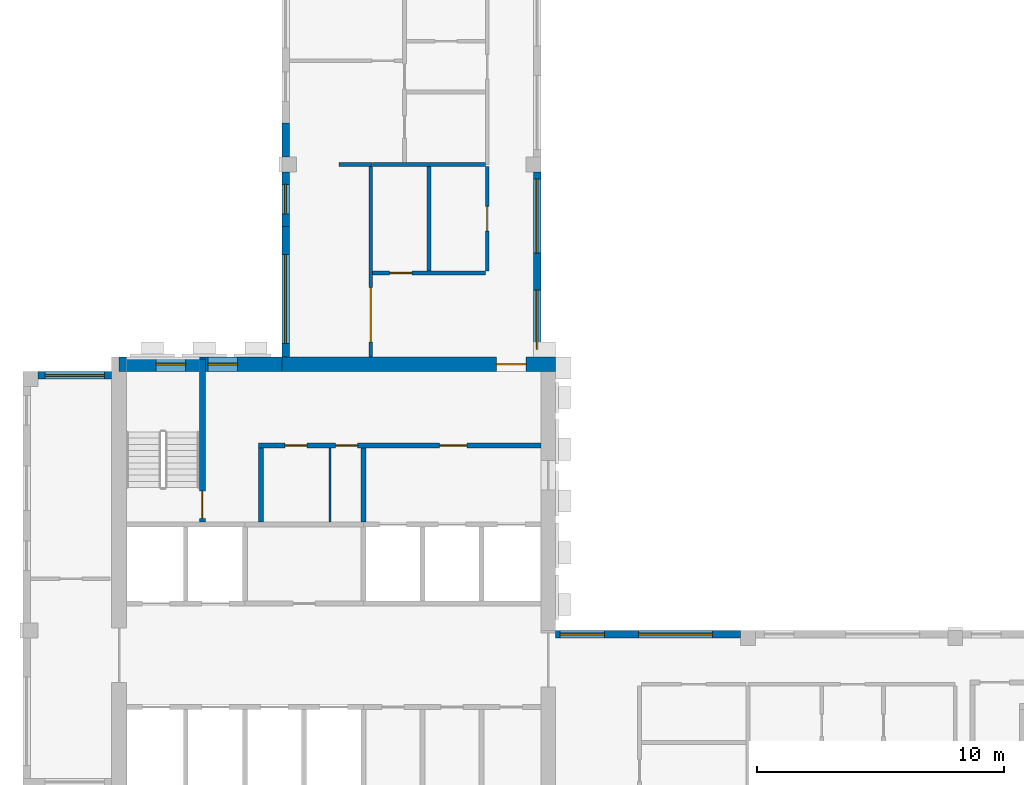
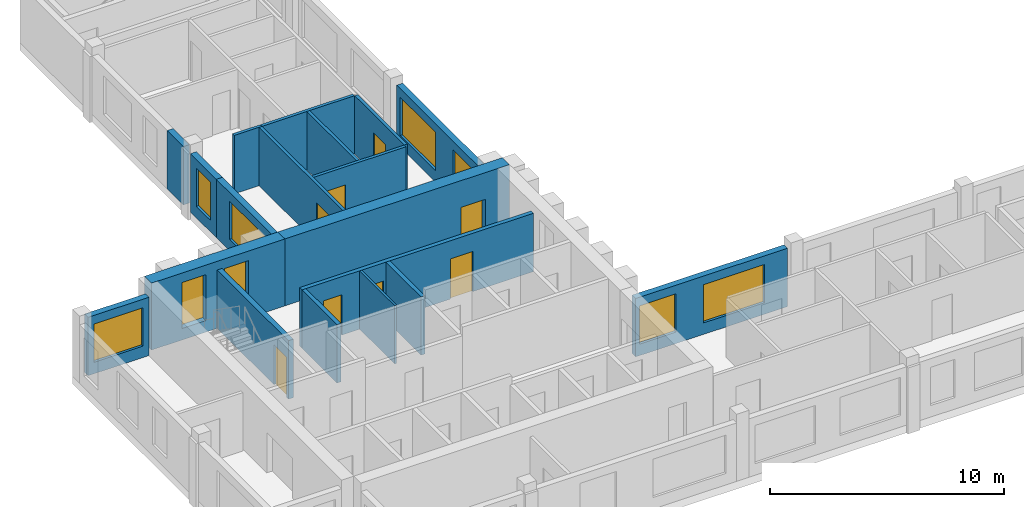
# One storey, part 3 of 10: 19 walls, 9 windows, 8 doors, 17 openings.
"""IFC4 building model written with IfcOpenShell, lengths in metres."""

from ifc_helpers import new_model, si_unit, direction, frame, frame_2d, origin, place, context, subcontext, project, spatial, rectangle, extrude, source, transform, mapped, material, layer, layer_set, type_object, element, fill, save


model = new_model("IFC4")

# Units and contexts
model_context = context("Model", 3, precision=1e-05, world=origin(), true_north=direction((0.0, 1.0)))
body_context = subcontext(model_context, "Body", "Model", "MODEL_VIEW")
ifc_project = project(units=[si_unit("LENGTHUNIT", "METRE"), si_unit("AREAUNIT", "SQUARE_METRE"), si_unit("VOLUMEUNIT", "CUBIC_METRE"), si_unit("PLANEANGLEUNIT", "RADIAN"), si_unit("MASSUNIT", "GRAM", prefix="KILO")], contexts=[model_context])

# Site, building, storey
site_placement = place(None, origin())
site = spatial("IfcSite", under=ifc_project, at=site_placement, CompositionType="ELEMENT")
building_placement = place(site_placement, origin())
building = spatial("IfcBuilding", under=site, at=building_placement, Name="Aurelian Terraces", CompositionType="ELEMENT")
storey_placement = place(building_placement, frame((0.0, 0.0, 365.0)))
storey = spatial("IfcBuildingStorey", under=building, at=storey_placement, Name="L87", CompositionType="ELEMENT", Elevation=365.0)

# Walls
ifc_material_1 = material(Name="Gypsum board on steel studs", Category="steel")
ifc_layer_1 = layer(ifc_material_1, 0.1)
ifc_layer_set_1 = layer_set([ifc_layer_1], Name="Core partition 100")
wall_type_1 = type_object("IfcWallType", Name="Core partition 100", PredefinedType="PARTITIONING", material=ifc_layer_set_1)
wall_1_placement = place(storey_placement, frame((12.45, 14.9, 0.0), z_axis=(0.0, 0.0, 1.0), x_axis=(0.0, 1.0, 0.0)))
element("IfcWall", 1, at=wall_1_placement, inside=storey, type_object=wall_type_1, Name="L87 core wall CP-SV1", PredefinedType="PARTITIONING", context=body_context, shape_type="SweptSolid", body=[
    extrude(rectangle(XDim=3.0, YDim=0.1, at=frame_2d((1.5, 0.0))), origin(), (0.0, 0.0, 1.0), 3.05),
])
ifc_layer_2 = layer(ifc_material_1, 0.2)
ifc_layer_set_2 = layer_set([ifc_layer_2], Name="Core partition 200")
wall_type_2 = type_object("IfcWallType", Name="Core partition 200", PredefinedType="PARTITIONING", material=ifc_layer_set_2)
wall_2_placement = place(storey_placement, frame((9.65, 14.9, 0.0), z_axis=(0.0, 0.0, 1.0), x_axis=(0.0, 1.0, 0.0)))
element("IfcWall", 2, at=wall_2_placement, inside=storey, type_object=wall_type_2, Name="L87 core wall CP-VEST", PredefinedType="PARTITIONING", context=body_context, shape_type="SweptSolid", body=[
    extrude(rectangle(XDim=3.0, YDim=0.2, at=frame_2d((1.5, 0.0))), origin(), (0.0, 0.0, 1.0), 3.05),
])

# Wall, openings, doors
wall_3_placement = place(storey_placement, frame((9.55, 18.0, 0.0), z_axis=(0.0, 0.0, 1.0), x_axis=(1.0, 0.0, 0.0)))
wall_3 = element("IfcWall", 3, at=wall_3_placement, inside=storey, type_object=wall_type_2, Name="L87 core wall CP-NORTH", PredefinedType="PARTITIONING", context=body_context, shape_type="SweptSolid", body=[
    extrude(rectangle(XDim=11.45, YDim=0.2, at=frame_2d((5.725, 0.0))), origin(), (0.0, 0.0, 1.0), 3.05),
])
shared_shape_1 = source(origin(), body_context, "Body", "SweptSolid", [
    extrude(rectangle(XDim=0.9, YDim=2.1, at=frame_2d((0.45, 1.05))), frame((0.0, 0.11, 0.0), z_axis=(0.0, -1.0, 0.0), x_axis=(1.0, 0.0, 0.0)), (0.0, 0.0, 1.0), 0.22),
])
opening_1_placement = place(wall_3_placement, frame((1.075, 0.0, 0.0)))
opening_1 = element("IfcOpeningElement", 4, at=opening_1_placement, cuts=wall_3, Name="Opening 69014", PredefinedType="OPENING", context=body_context, shape_type="MappedRepresentation", body=[
    mapped(shared_shape_1, transform((0.0, 0.0, 0.0), scale=1.0)),
])
opening_2_placement = place(wall_3_placement, frame((3.125, 0.0, 0.0)))
opening_2 = element("IfcOpeningElement", 5, at=opening_2_placement, cuts=wall_3, Name="Opening 69015", PredefinedType="OPENING", context=body_context, shape_type="MappedRepresentation", body=[
    mapped(shared_shape_1, transform((0.0, 0.0, 0.0), scale=1.0)),
])
shared_shape_2 = source(origin(), body_context, "Body", "SweptSolid", [
    extrude(rectangle(XDim=1.1, YDim=2.1, at=frame_2d((0.55, 1.05))), frame((0.0, 0.11, 0.0), z_axis=(0.0, -1.0, 0.0), x_axis=(1.0, 0.0, 0.0)), (0.0, 0.0, 1.0), 0.22),
])
opening_3_placement = place(wall_3_placement, frame((7.35, 0.0, 0.0)))
opening_3 = element("IfcOpeningElement", 6, at=opening_3_placement, cuts=wall_3, Name="Opening 69016", PredefinedType="OPENING", context=body_context, shape_type="MappedRepresentation", body=[
    mapped(shared_shape_2, transform((0.0, 0.0, 0.0), scale=1.0)),
])
ifc_material_2 = material(Name="Steel door leaf", Category="steel")
door_type_1 = type_object("IfcDoorType", Name="Core service door 900x2100", OperationType="SINGLE_SWING_LEFT", PredefinedType="DOOR", material=ifc_material_2)
shared_shape_3 = source(origin(), body_context, "Body", "SweptSolid", [
    extrude(rectangle(XDim=0.9, YDim=2.1, at=frame_2d((0.45, 1.05))), frame((0.0, 0.025, 0.0), z_axis=(0.0, -1.0, 0.0), x_axis=(1.0, 0.0, 0.0)), (0.0, 0.0, 1.0), 0.05),
])
door_1_placement = place(opening_1_placement, origin())
door_1 = element("IfcDoor", 7, at=door_1_placement, inside=storey, type_object=door_type_1, Name="Room door 69014", OperationType="SINGLE_SWING_LEFT", OverallHeight=2.1, OverallWidth=0.9, PredefinedType="DOOR", context=body_context, shape_type="MappedRepresentation", body=[
    mapped(shared_shape_3, transform((0.0, 0.0, 0.0), scale=1.0)),
])
fill(opening_1, door_1)
door_type_2 = type_object("IfcDoorType", Name="Core riser door 900x2100 right", OperationType="SINGLE_SWING_RIGHT", PredefinedType="DOOR", material=ifc_material_2)
door_2_placement = place(opening_2_placement, origin())
door_2 = element("IfcDoor", 8, at=door_2_placement, inside=storey, type_object=door_type_2, Name="Room door 69015", OperationType="SINGLE_SWING_RIGHT", OverallHeight=2.1, OverallWidth=0.9, PredefinedType="DOOR", context=body_context, shape_type="MappedRepresentation", body=[
    mapped(shared_shape_3, transform((0.0, 0.0, 0.0), scale=1.0)),
])
fill(opening_2, door_2)
door_type_3 = type_object("IfcDoorType", Name="Core fire door 1100x2100", OperationType="SINGLE_SWING_LEFT", PredefinedType="DOOR", material=ifc_material_2)
shared_shape_4 = source(origin(), body_context, "Body", "SweptSolid", [
    extrude(rectangle(XDim=1.1, YDim=2.1, at=frame_2d((0.55, 1.05))), frame((0.0, 0.025, 0.0), z_axis=(0.0, -1.0, 0.0), x_axis=(1.0, 0.0, 0.0)), (0.0, 0.0, 1.0), 0.05),
])
door_3_placement = place(opening_3_placement, origin())
door_3 = element("IfcDoor", 9, at=door_3_placement, inside=storey, type_object=door_type_3, Name="Ff lobby door 69016", OperationType="SINGLE_SWING_LEFT", OverallHeight=2.1, OverallWidth=1.1, PredefinedType="DOOR", context=body_context, shape_type="MappedRepresentation", body=[
    mapped(shared_shape_4, transform((0.0, 0.0, 0.0), scale=1.0)),
])
fill(opening_3, door_3)

# Wall, openings, windows
ifc_material_3 = material(Name="Terracotta rainscreen cladding", Category="masonry")
ifc_layer_3 = layer(ifc_material_3, 0.3)
ifc_layer_set_3 = layer_set([ifc_layer_3], Name="EW-300")
wall_type_3 = type_object("IfcWallType", Name="EW-300", PredefinedType="STANDARD", material=ifc_layer_set_3)
wall_4_placement = place(storey_placement, frame((29.1, 10.35, 0.0), z_axis=(0.0, 0.0, 1.0), x_axis=(-1.0, 0.0, 0.0)))
wall_4 = element("IfcWall", 10, at=wall_4_placement, inside=storey, type_object=wall_type_3, Name="External wall L87 F03.8", PredefinedType="STANDARD", context=body_context, shape_type="SweptSolid", body=[
    extrude(rectangle(XDim=7.5, YDim=0.3, at=frame_2d((3.75, 0.0))), origin(), (0.0, 0.0, 1.0), 3.05),
])
shared_shape_5 = source(origin(), body_context, "Body", "SweptSolid", [
    extrude(rectangle(XDim=3.0, YDim=2.0, at=frame_2d((1.5, 1.0))), frame((0.0, 0.16, 0.0), z_axis=(0.0, -1.0, 0.0), x_axis=(1.0, 0.0, 0.0)), (0.0, 0.0, 1.0), 0.32),
])
opening_4_placement = place(wall_4_placement, frame((1.14, 0.0, 0.6)))
opening_4 = element("IfcOpeningElement", 11, at=opening_4_placement, cuts=wall_4, Name="Opening W3020", PredefinedType="OPENING", context=body_context, shape_type="MappedRepresentation", body=[
    mapped(shared_shape_5, transform((0.0, 0.0, 0.0), scale=1.0)),
])
shared_shape_6 = source(origin(), body_context, "Body", "SweptSolid", [
    extrude(rectangle(XDim=1.8, YDim=2.0, at=frame_2d((0.9, 1.0))), frame((0.0, 0.16, 0.0), z_axis=(0.0, -1.0, 0.0), x_axis=(1.0, 0.0, 0.0)), (0.0, 0.0, 1.0), 0.32),
])
opening_5_placement = place(wall_4_placement, frame((5.52, 0.0, 0.6)))
opening_5 = element("IfcOpeningElement", 12, at=opening_5_placement, cuts=wall_4, Name="Opening W1820", PredefinedType="OPENING", context=body_context, shape_type="MappedRepresentation", body=[
    mapped(shared_shape_6, transform((0.0, 0.0, 0.0), scale=1.0)),
])
ifc_material_4 = material(Name="Clear glazing", Category="glass")
window_type_1 = type_object("IfcWindowType", Name="W-3000x2000", PartitioningType="SINGLE_PANEL", PredefinedType="WINDOW", material=ifc_material_4)
shared_shape_7 = source(origin(), body_context, "Body", "SweptSolid", [
    extrude(rectangle(XDim=3.0, YDim=2.0, at=frame_2d((1.5, 1.0))), frame((0.0, 0.03, 0.0), z_axis=(0.0, -1.0, 0.0), x_axis=(1.0, 0.0, 0.0)), (0.0, 0.0, 1.0), 0.06),
])
window_1_placement = place(opening_4_placement, origin())
window_1 = element("IfcWindow", 13, at=window_1_placement, inside=storey, type_object=window_type_1, Name="Window L87 L87-F03-08-5", OverallHeight=2.0, OverallWidth=3.0, PartitioningType="SINGLE_PANEL", PredefinedType="WINDOW", context=body_context, shape_type="MappedRepresentation", body=[
    mapped(shared_shape_7, transform((0.0, 0.0, 0.0), scale=1.0)),
])
fill(opening_4, window_1)
window_type_2 = type_object("IfcWindowType", Name="W-1800x2000", PartitioningType="SINGLE_PANEL", PredefinedType="WINDOW", material=ifc_material_4)
shared_shape_8 = source(origin(), body_context, "Body", "SweptSolid", [
    extrude(rectangle(XDim=1.8, YDim=2.0, at=frame_2d((0.9, 1.0))), frame((0.0, 0.03, 0.0), z_axis=(0.0, -1.0, 0.0), x_axis=(1.0, 0.0, 0.0)), (0.0, 0.0, 1.0), 0.06),
])
window_2_placement = place(opening_5_placement, origin())
window_2 = element("IfcWindow", 14, at=window_2_placement, inside=storey, type_object=window_type_2, Name="Window L87 L87-F03-08-6", OverallHeight=2.0, OverallWidth=1.8, PartitioningType="SINGLE_PANEL", PredefinedType="WINDOW", context=body_context, shape_type="MappedRepresentation", body=[
    mapped(shared_shape_8, transform((0.0, 0.0, 0.0), scale=1.0)),
])
fill(opening_5, window_2)

# Wall
wall_5_placement = place(storey_placement, frame((10.65, 31.08, 0.0), z_axis=(0.0, 0.0, 1.0), x_axis=(0.0, -1.0, 0.0)))
element("IfcWall", 15, at=wall_5_placement, inside=storey, type_object=wall_type_3, Name="External wall L87 F06.15", PredefinedType="STANDARD", context=body_context, shape_type="SweptSolid", body=[
    extrude(rectangle(XDim=1.38, YDim=0.3, at=frame_2d((0.69, 0.0))), origin(), (0.0, 0.0, 1.0), 3.05),
])

# Wall, opening, window
wall_6_placement = place(storey_placement, frame((10.65, 29.1, 0.0), z_axis=(0.0, 0.0, 1.0), x_axis=(0.0, -1.0, 0.0)))
wall_6 = element("IfcWall", 16, at=wall_6_placement, inside=storey, type_object=wall_type_3, Name="External wall L87 F06.15", PredefinedType="STANDARD", context=body_context, shape_type="SweptSolid", body=[
    extrude(rectangle(XDim=2.22, YDim=0.3, at=frame_2d((1.11, 0.0))), origin(), (0.0, 0.0, 1.0), 3.05),
])
shared_shape_9 = source(origin(), body_context, "Body", "SweptSolid", [
    extrude(rectangle(XDim=1.2, YDim=2.0, at=frame_2d((0.6, 1.0))), frame((0.0, 0.16, 0.0), z_axis=(0.0, -1.0, 0.0), x_axis=(1.0, 0.0, 0.0)), (0.0, 0.0, 1.0), 0.32),
])
opening_6_placement = place(wall_6_placement, frame((0.51, 0.0, 0.6)))
opening_6 = element("IfcOpeningElement", 17, at=opening_6_placement, cuts=wall_6, Name="Opening W1220", PredefinedType="OPENING", context=body_context, shape_type="MappedRepresentation", body=[
    mapped(shared_shape_9, transform((0.0, 0.0, 0.0), scale=1.0)),
])
window_type_3 = type_object("IfcWindowType", Name="W-1200x2000", PartitioningType="SINGLE_PANEL", PredefinedType="WINDOW", material=ifc_material_4)
shared_shape_10 = source(origin(), body_context, "Body", "SweptSolid", [
    extrude(rectangle(XDim=1.2, YDim=2.0, at=frame_2d((0.6, 1.0))), frame((0.0, 0.03, 0.0), z_axis=(0.0, -1.0, 0.0), x_axis=(1.0, 0.0, 0.0)), (0.0, 0.0, 1.0), 0.06),
])
window_3_placement = place(opening_6_placement, origin())
window_3 = element("IfcWindow", 18, at=window_3_placement, inside=storey, type_object=window_type_3, Name="Window L87 L87-F06-15-P1", OverallHeight=2.0, OverallWidth=1.2, PartitioningType="SINGLE_PANEL", PredefinedType="WINDOW", context=body_context, shape_type="MappedRepresentation", body=[
    mapped(shared_shape_10, transform((0.0, 0.0, 0.0), scale=1.0)),
])
fill(opening_6, window_3)

wall_7_placement = place(storey_placement, frame((10.65, 26.88, 0.0), z_axis=(0.0, 0.0, 1.0), x_axis=(0.0, -1.0, 0.0)))
wall_7 = element("IfcWall", 19, at=wall_7_placement, inside=storey, type_object=wall_type_3, Name="External wall L87 F06.16", PredefinedType="STANDARD", context=body_context, shape_type="SweptSolid", body=[
    extrude(rectangle(XDim=5.28, YDim=0.3, at=frame_2d((2.64, 0.0))), origin(), (0.0, 0.0, 1.0), 3.05),
])
shared_shape_11 = source(origin(), body_context, "Body", "SweptSolid", [
    extrude(rectangle(XDim=3.6, YDim=2.0, at=frame_2d((1.8, 1.0))), frame((0.0, 0.16, 0.0), z_axis=(0.0, -1.0, 0.0), x_axis=(1.0, 0.0, 0.0)), (0.0, 0.0, 1.0), 0.32),
])
opening_7_placement = place(wall_7_placement, frame((1.14, 0.0, 0.6)))
opening_7 = element("IfcOpeningElement", 20, at=opening_7_placement, cuts=wall_7, Name="Opening W3620", PredefinedType="OPENING", context=body_context, shape_type="MappedRepresentation", body=[
    mapped(shared_shape_11, transform((0.0, 0.0, 0.0), scale=1.0)),
])
window_type_4 = type_object("IfcWindowType", Name="W-3600x2000", PartitioningType="SINGLE_PANEL", PredefinedType="WINDOW", material=ifc_material_4)
shared_shape_12 = source(origin(), body_context, "Body", "SweptSolid", [
    extrude(rectangle(XDim=3.6, YDim=2.0, at=frame_2d((1.8, 1.0))), frame((0.0, 0.03, 0.0), z_axis=(0.0, -1.0, 0.0), x_axis=(1.0, 0.0, 0.0)), (0.0, 0.0, 1.0), 0.06),
])
window_4_placement = place(opening_7_placement, origin())
window_4 = element("IfcWindow", 21, at=window_4_placement, inside=storey, type_object=window_type_4, Name="Window L87 L87-F06-16-0", OverallHeight=2.0, OverallWidth=3.6, PartitioningType="SINGLE_PANEL", PredefinedType="WINDOW", context=body_context, shape_type="MappedRepresentation", body=[
    mapped(shared_shape_12, transform((0.0, 0.0, 0.0), scale=1.0)),
])
fill(opening_7, window_4)

wall_8_placement = place(storey_placement, frame((3.6, 20.85, 0.0), z_axis=(0.0, 0.0, 1.0), x_axis=(-1.0, 0.0, 0.0)))
wall_8 = element("IfcWall", 22, at=wall_8_placement, inside=storey, type_object=wall_type_3, Name="External wall L87 F11.21", PredefinedType="STANDARD", context=body_context, shape_type="SweptSolid", body=[
    extrude(rectangle(XDim=3.0, YDim=0.3, at=frame_2d((1.5, 0.0))), origin(), (0.0, 0.0, 1.0), 3.05),
])
shared_shape_13 = source(origin(), body_context, "Body", "SweptSolid", [
    extrude(rectangle(XDim=2.4, YDim=2.0, at=frame_2d((1.2, 1.0))), frame((0.0, 0.16, 0.0), z_axis=(0.0, -1.0, 0.0), x_axis=(1.0, 0.0, 0.0)), (0.0, 0.0, 1.0), 0.32),
])
opening_8_placement = place(wall_8_placement, frame((0.3, 0.0, 0.6)))
opening_8 = element("IfcOpeningElement", 23, at=opening_8_placement, cuts=wall_8, Name="Opening W2420", PredefinedType="OPENING", context=body_context, shape_type="MappedRepresentation", body=[
    mapped(shared_shape_13, transform((0.0, 0.0, 0.0), scale=1.0)),
])
window_type_5 = type_object("IfcWindowType", Name="W-2400x2000", PartitioningType="SINGLE_PANEL", PredefinedType="WINDOW", material=ifc_material_4)
shared_shape_14 = source(origin(), body_context, "Body", "SweptSolid", [
    extrude(rectangle(XDim=2.4, YDim=2.0, at=frame_2d((1.2, 1.0))), frame((0.0, 0.03, 0.0), z_axis=(0.0, -1.0, 0.0), x_axis=(1.0, 0.0, 0.0)), (0.0, 0.0, 1.0), 0.06),
])
window_5_placement = place(opening_8_placement, origin())
window_5 = element("IfcWindow", 24, at=window_5_placement, inside=storey, type_object=window_type_5, Name="Window L87 L87-F11-21-0", OverallHeight=2.0, OverallWidth=2.4, PartitioningType="SINGLE_PANEL", PredefinedType="WINDOW", context=body_context, shape_type="MappedRepresentation", body=[
    mapped(shared_shape_14, transform((0.0, 0.0, 0.0), scale=1.0)),
])
fill(opening_8, window_5)

# Wall
ifc_layer_4 = layer(ifc_material_1, 0.15)
ifc_layer_set_4 = layer_set([ifc_layer_4], Name="Fire partition 150")
wall_type_4 = type_object("IfcWallType", Name="Fire partition 150", PredefinedType="PARTITIONING", material=ifc_layer_set_4)
wall_9_placement = place(storey_placement, frame((14.155, 29.4, 0.0), z_axis=(0.0, 0.0, 1.0), x_axis=(-1.0, 0.0, 0.0)))
element("IfcWall", 25, at=wall_9_placement, inside=storey, type_object=wall_type_4, Name="Party wall", PredefinedType="PARTITIONING", context=body_context, shape_type="SweptSolid", body=[
    extrude(rectangle(XDim=1.35, YDim=0.15, at=frame_2d((0.675, 0.0))), origin(), (0.0, 0.0, 1.0), 3.05),
])

# Wall, opening, door
ifc_material_5 = material(Name="Concrete fc' 40 MPa", Category="concrete")
ifc_layer_5 = layer(ifc_material_5, 0.25)
ifc_layer_set_5 = layer_set([ifc_layer_5], Name="Stair enclosure wall 250")
wall_type_5 = type_object("IfcWallType", Name="Stair enclosure wall 250", PredefinedType="SOLIDWALL", material=ifc_layer_set_5)
wall_10_placement = place(storey_placement, frame((7.275, 14.9, 0.0), z_axis=(0.0, 0.0, 1.0), x_axis=(0.0, 1.0, 0.0)))
wall_10 = element("IfcWall", 26, at=wall_10_placement, inside=storey, type_object=wall_type_5, Name="L87 core wall ST-S1-E", PredefinedType="SOLIDWALL", context=body_context, shape_type="SweptSolid", body=[
    extrude(rectangle(XDim=6.6, YDim=0.25, at=frame_2d((3.3, 0.0))), origin(), (0.0, 0.0, 1.0), 3.05),
])
shared_shape_15 = source(origin(), body_context, "Body", "SweptSolid", [
    extrude(rectangle(XDim=1.1, YDim=2.1, at=frame_2d((0.55, 1.05))), frame((0.0, 0.135, 0.0), z_axis=(0.0, -1.0, 0.0), x_axis=(1.0, 0.0, 0.0)), (0.0, 0.0, 1.0), 0.27),
])
opening_9_placement = place(wall_10_placement, frame((0.15, 0.0, 0.0)))
opening_9 = element("IfcOpeningElement", 27, at=opening_9_placement, cuts=wall_10, Name="Opening 69013", PredefinedType="OPENING", context=body_context, shape_type="MappedRepresentation", body=[
    mapped(shared_shape_15, transform((0.0, 0.0, 0.0), scale=1.0)),
])
door_type_4 = type_object("IfcDoorType", Name="Core fire door 1100x2100 right", OperationType="SINGLE_SWING_RIGHT", PredefinedType="DOOR", material=ifc_material_2)
door_4_placement = place(opening_9_placement, origin())
door_4 = element("IfcDoor", 28, at=door_4_placement, inside=storey, type_object=door_type_4, Name="Stair door 69013", OperationType="SINGLE_SWING_RIGHT", OverallHeight=2.1, OverallWidth=1.1, PredefinedType="DOOR", context=body_context, shape_type="MappedRepresentation", body=[
    mapped(shared_shape_4, transform((0.0, 0.0, 0.0), scale=1.0)),
])
fill(opening_9, door_4)

ifc_material_6 = material(Name="Concrete fc' 55 MPa", Category="concrete")
ifc_layer_6 = layer(ifc_material_6, 0.6)
ifc_layer_set_6 = layer_set([ifc_layer_6], Name="CORE WALL 600 FC55")
wall_type_6 = type_object("IfcWallType", Name="CORE WALL 600 FC55", PredefinedType="SHEAR", material=ifc_layer_set_6)
shared_shape_16 = source(origin(), body_context, "Body", "SweptSolid", [
    extrude(rectangle(XDim=11.1, YDim=0.6, at=frame_2d((5.55, 0.0))), origin(), (0.0, 0.0, 1.0), 3.5),
])
wall_11_placement = place(storey_placement, frame((10.5, 21.3, 0.0), z_axis=(0.0, 0.0, 1.0), x_axis=(1.0, 0.0, 0.0)))
wall_11 = element("IfcWall", 29, at=wall_11_placement, inside=storey, type_object=wall_type_6, Name="Core wall N L87", PredefinedType="SHEAR", context=body_context, shape_type="MappedRepresentation", body=[
    mapped(shared_shape_16, transform((0.0, 0.0, 0.0), scale=1.0)),
])
shared_shape_17 = source(origin(), body_context, "Body", "SweptSolid", [
    extrude(rectangle(XDim=1.2, YDim=2.1, at=frame_2d((0.6, 1.05))), frame((0.0, 0.31, 0.0), z_axis=(0.0, -1.0, 0.0), x_axis=(1.0, 0.0, 0.0)), (0.0, 0.0, 1.0), 0.62),
])
opening_10_placement = place(wall_11_placement, frame((8.7, 0.0, 0.0)))
opening_10 = element("IfcOpeningElement", 30, at=opening_10_placement, cuts=wall_11, Name="Opening 69025", PredefinedType="OPENING", context=body_context, shape_type="MappedRepresentation", body=[
    mapped(shared_shape_17, transform((0.0, 0.0, 0.0), scale=1.0)),
])
door_type_5 = type_object("IfcDoorType", Name="Core fire door 1200x2100", OperationType="SINGLE_SWING_LEFT", PredefinedType="DOOR", material=ifc_material_2)
shared_shape_18 = source(origin(), body_context, "Body", "SweptSolid", [
    extrude(rectangle(XDim=1.2, YDim=2.1, at=frame_2d((0.6, 1.05))), frame((0.0, 0.025, 0.0), z_axis=(0.0, -1.0, 0.0), x_axis=(1.0, 0.0, 0.0)), (0.0, 0.0, 1.0), 0.05),
])
door_5_placement = place(opening_10_placement, origin())
door_5 = element("IfcDoor", 31, at=door_5_placement, inside=storey, type_object=door_type_5, Name="Core door 69025", OperationType="SINGLE_SWING_LEFT", OverallHeight=2.1, OverallWidth=1.2, PredefinedType="DOOR", context=body_context, shape_type="MappedRepresentation", body=[
    mapped(shared_shape_18, transform((0.0, 0.0, 0.0), scale=1.0)),
])
fill(opening_10, door_5)

# Wall, openings, windows
shared_shape_19 = source(origin(), body_context, "Body", "SweptSolid", [
    extrude(rectangle(XDim=6.6, YDim=0.6, at=frame_2d((3.3, 0.0))), origin(), (0.0, 0.0, 1.0), 3.5),
])
wall_12_placement = place(storey_placement, frame((3.9, 21.3, 0.0), z_axis=(0.0, 0.0, 1.0), x_axis=(1.0, 0.0, 0.0)))
wall_12 = element("IfcWall", 32, at=wall_12_placement, inside=storey, type_object=wall_type_6, Name="Core wall N L87 exposed", PredefinedType="SHEAR", context=body_context, shape_type="MappedRepresentation", body=[
    mapped(shared_shape_19, transform((0.0, 0.0, 0.0), scale=1.0)),
])
shared_shape_20 = source(origin(), body_context, "Body", "SweptSolid", [
    extrude(rectangle(XDim=1.2, YDim=2.4, at=frame_2d((0.6, 1.2))), frame((0.0, 0.31, 0.0), z_axis=(0.0, -1.0, 0.0), x_axis=(1.0, 0.0, 0.0)), (0.0, 0.0, 1.0), 0.62),
])
opening_11_placement = place(wall_12_placement, frame((1.5, 0.0, 0.6)))
opening_11 = element("IfcOpeningElement", 33, at=opening_11_placement, cuts=wall_12, Name="Opening W-CL", PredefinedType="OPENING", context=body_context, shape_type="MappedRepresentation", body=[
    mapped(shared_shape_20, transform((0.0, 0.0, 0.0), scale=1.0)),
])
opening_12_placement = place(wall_12_placement, frame((3.6, 0.0, 0.6)))
opening_12 = element("IfcOpeningElement", 34, at=opening_12_placement, cuts=wall_12, Name="Opening W-CL", PredefinedType="OPENING", context=body_context, shape_type="MappedRepresentation", body=[
    mapped(shared_shape_20, transform((0.0, 0.0, 0.0), scale=1.0)),
])
ifc_material_7 = material(Name="Fire-resisting glazing", Category="glass")
window_type_6 = type_object("IfcWindowType", Name="Core lobby window 1200x2400", PartitioningType="SINGLE_PANEL", PredefinedType="WINDOW", material=ifc_material_7)
shared_shape_21 = source(origin(), body_context, "Body", "SweptSolid", [
    extrude(rectangle(XDim=1.2, YDim=2.4, at=frame_2d((0.6, 1.2))), frame((0.0, 0.03, 0.0), z_axis=(0.0, -1.0, 0.0), x_axis=(1.0, 0.0, 0.0)), (0.0, 0.0, 1.0), 0.06),
])
window_6_placement = place(opening_11_placement, origin())
window_6 = element("IfcWindow", 35, at=window_6_placement, inside=storey, type_object=window_type_6, Name="Lobby window L87 N71", OverallHeight=2.4, OverallWidth=1.2, PartitioningType="SINGLE_PANEL", PredefinedType="WINDOW", context=body_context, shape_type="MappedRepresentation", body=[
    mapped(shared_shape_21, transform((0.0, 0.0, 0.0), scale=1.0)),
])
fill(opening_11, window_6)
window_7_placement = place(opening_12_placement, origin())
window_7 = element("IfcWindow", 36, at=window_7_placement, inside=storey, type_object=window_type_6, Name="Lobby window L87 N72", OverallHeight=2.4, OverallWidth=1.2, PartitioningType="SINGLE_PANEL", PredefinedType="WINDOW", context=body_context, shape_type="MappedRepresentation", body=[
    mapped(shared_shape_21, transform((0.0, 0.0, 0.0), scale=1.0)),
])
fill(opening_12, window_7)

shared_shape_22 = source(origin(), body_context, "Body", "SweptSolid", [
    extrude(rectangle(XDim=7.5, YDim=0.3, at=frame_2d((3.75, 0.0))), origin(), (0.0, 0.0, 1.0), 3.05),
])
wall_13_placement = place(storey_placement, frame((20.85, 21.6, 0.0), z_axis=(0.0, 0.0, 1.0), x_axis=(0.0, 1.0, 0.0)))
wall_13 = element("IfcWall", 37, at=wall_13_placement, inside=storey, type_object=wall_type_3, Name="External wall L87 F04.10", PredefinedType="STANDARD", context=body_context, shape_type="MappedRepresentation", body=[
    mapped(shared_shape_22, transform((0.0, 0.0, 0.0), scale=1.0)),
])
opening_13_placement = place(wall_13_placement, frame((0.3, 0.0, 0.6)))
opening_13 = element("IfcOpeningElement", 38, at=opening_13_placement, cuts=wall_13, Name="Opening W2420", PredefinedType="OPENING", context=body_context, shape_type="MappedRepresentation", body=[
    mapped(shared_shape_13, transform((0.0, 0.0, 0.0), scale=1.0)),
])
opening_14_placement = place(wall_13_placement, frame((4.2, 0.0, 0.6)))
opening_14 = element("IfcOpeningElement", 39, at=opening_14_placement, cuts=wall_13, Name="Opening W3020", PredefinedType="OPENING", context=body_context, shape_type="MappedRepresentation", body=[
    mapped(shared_shape_5, transform((0.0, 0.0, 0.0), scale=1.0)),
])
window_8_placement = place(opening_14_placement, origin())
window_8 = element("IfcWindow", 40, at=window_8_placement, inside=storey, type_object=window_type_1, Name="Window L87 L87-F04-10-1", OverallHeight=2.0, OverallWidth=3.0, PartitioningType="SINGLE_PANEL", PredefinedType="WINDOW", context=body_context, shape_type="MappedRepresentation", body=[
    mapped(shared_shape_7, transform((0.0, 0.0, 0.0), scale=1.0)),
])
fill(opening_14, window_8)
window_9_placement = place(opening_13_placement, origin())
window_9 = element("IfcWindow", 41, at=window_9_placement, inside=storey, type_object=window_type_5, Name="Window L87 L87-F04-10-0", OverallHeight=2.0, OverallWidth=2.4, PartitioningType="SINGLE_PANEL", PredefinedType="WINDOW", context=body_context, shape_type="MappedRepresentation", body=[
    mapped(shared_shape_14, transform((0.0, 0.0, 0.0), scale=1.0)),
])
fill(opening_13, window_9)

# Wall
shared_shape_23 = source(origin(), body_context, "Body", "SweptSolid", [
    extrude(rectangle(XDim=3.0, YDim=0.2, at=frame_2d((1.5, 0.0))), origin(), (0.0, 0.0, 1.0), 3.05),
])
wall_14_placement = place(storey_placement, frame((13.8, 14.9, 0.0), z_axis=(0.0, 0.0, 1.0), x_axis=(0.0, 1.0, 0.0)))
element("IfcWall", 42, at=wall_14_placement, inside=storey, type_object=wall_type_2, Name="L87 core wall CP-FFL", PredefinedType="PARTITIONING", context=body_context, shape_type="MappedRepresentation", body=[
    mapped(shared_shape_23, transform((0.0, 0.0, 0.0), scale=1.0)),
])

# Wall, opening, door
ifc_layer_7 = layer(ifc_material_1, 0.15)
ifc_layer_set_7 = layer_set([ifc_layer_7], Name="Partition 150")
wall_type_7 = type_object("IfcWallType", Name="Partition 150", PredefinedType="PARTITIONING", material=ifc_layer_set_7)
shared_shape_24 = source(origin(), body_context, "Body", "SweptSolid", [
    extrude(rectangle(XDim=4.575, YDim=0.15, at=frame_2d((2.2875, 0.0))), origin(), (0.0, 0.0, 1.0), 3.05),
])
wall_15_placement = place(storey_placement, frame((14.175, 25.0, 0.0), z_axis=(0.0, 0.0, 1.0), x_axis=(1.0, 0.0, 0.0)))
wall_15 = element("IfcWall", 43, at=wall_15_placement, inside=storey, type_object=wall_type_7, Name="Partition", PredefinedType="PARTITIONING", context=body_context, shape_type="MappedRepresentation", body=[
    mapped(shared_shape_24, transform((0.0, 0.0, 0.0), scale=1.0)),
])
shared_shape_25 = source(origin(), body_context, "Body", "SweptSolid", [
    extrude(rectangle(XDim=0.9, YDim=2.1, at=frame_2d((0.45, 1.05))), frame((0.0, 0.085, 0.0), z_axis=(0.0, -1.0, 0.0), x_axis=(1.0, 0.0, 0.0)), (0.0, 0.0, 1.0), 0.17),
])
opening_15_placement = place(wall_15_placement, frame((0.694, 0.0, 0.0)))
opening_15 = element("IfcOpeningElement", 44, at=opening_15_placement, cuts=wall_15, Name="Opening 787012", PredefinedType="OPENING", context=body_context, shape_type="MappedRepresentation", body=[
    mapped(shared_shape_25, transform((0.0, 0.0, 0.0), scale=1.0)),
])
ifc_material_8 = material(Name="Timber door leaf", Category="wood")
door_type_6 = type_object("IfcDoorType", Name="Room door 900x2100 left", OperationType="SINGLE_SWING_LEFT", PredefinedType="DOOR", material=ifc_material_8)
door_6_placement = place(opening_15_placement, origin())
door_6 = element("IfcDoor", 45, at=door_6_placement, inside=storey, type_object=door_type_6, Name="Door 787012", OperationType="SINGLE_SWING_LEFT", OverallHeight=2.1, OverallWidth=0.9, PredefinedType="DOOR", context=body_context, shape_type="MappedRepresentation", body=[
    mapped(shared_shape_3, transform((0.0, 0.0, 0.0), scale=1.0)),
])
fill(opening_15, door_6)

# Wall
wall_16_placement = place(storey_placement, frame((18.75, 29.4, 0.0), z_axis=(0.0, 0.0, 1.0), x_axis=(-1.0, 0.0, 0.0)))
element("IfcWall", 46, at=wall_16_placement, inside=storey, type_object=wall_type_7, Name="Partition", PredefinedType="PARTITIONING", context=body_context, shape_type="MappedRepresentation", body=[
    mapped(shared_shape_24, transform((0.0, 0.0, 0.0), scale=1.0)),
])

# Wall, opening, door
shared_shape_26 = source(origin(), body_context, "Body", "SweptSolid", [
    extrude(rectangle(XDim=4.25, YDim=0.15, at=frame_2d((2.125, 0.0))), origin(), (0.0, 0.0, 1.0), 3.05),
])
wall_17_placement = place(storey_placement, frame((18.825, 25.075, 0.0), z_axis=(0.0, 0.0, 1.0), x_axis=(0.0, 1.0, 0.0)))
wall_17 = element("IfcWall", 47, at=wall_17_placement, inside=storey, type_object=wall_type_4, Name="Corridor wall", PredefinedType="PARTITIONING", context=body_context, shape_type="MappedRepresentation", body=[
    mapped(shared_shape_26, transform((0.0, 0.0, 0.0), scale=1.0)),
])
shared_shape_27 = source(origin(), body_context, "Body", "SweptSolid", [
    extrude(rectangle(XDim=1.0, YDim=2.1, at=frame_2d((0.5, 1.05))), frame((0.0, 0.085, 0.0), z_axis=(0.0, -1.0, 0.0), x_axis=(1.0, 0.0, 0.0)), (0.0, 0.0, 1.0), 0.17),
])
opening_16_placement = place(wall_17_placement, frame((1.625, 0.0, 0.0)))
opening_16 = element("IfcOpeningElement", 48, at=opening_16_placement, cuts=wall_17, Name="Opening 787011", PredefinedType="OPENING", context=body_context, shape_type="MappedRepresentation", body=[
    mapped(shared_shape_27, transform((0.0, 0.0, 0.0), scale=1.0)),
])
door_type_7 = type_object("IfcDoorType", Name="Entrance fire door 1000x2100 right", OperationType="SINGLE_SWING_RIGHT", PredefinedType="DOOR", material=ifc_material_2)
shared_shape_28 = source(origin(), body_context, "Body", "SweptSolid", [
    extrude(rectangle(XDim=1.0, YDim=2.1, at=frame_2d((0.5, 1.05))), frame((0.0, 0.025, 0.0), z_axis=(0.0, -1.0, 0.0), x_axis=(1.0, 0.0, 0.0)), (0.0, 0.0, 1.0), 0.05),
])
door_7_placement = place(opening_16_placement, origin())
door_7 = element("IfcDoor", 49, at=door_7_placement, inside=storey, type_object=door_type_7, Name="Door 787011", OperationType="SINGLE_SWING_RIGHT", OverallHeight=2.1, OverallWidth=1.0, PredefinedType="DOOR", context=body_context, shape_type="MappedRepresentation", body=[
    mapped(shared_shape_28, transform((0.0, 0.0, 0.0), scale=1.0)),
])
fill(opening_16, door_7)

# Wall
wall_18_placement = place(storey_placement, frame((16.463, 25.075, 0.0), z_axis=(0.0, 0.0, 1.0), x_axis=(0.0, 1.0, 0.0)))
element("IfcWall", 50, at=wall_18_placement, inside=storey, type_object=wall_type_7, Name="Partition", PredefinedType="PARTITIONING", context=body_context, shape_type="MappedRepresentation", body=[
    mapped(shared_shape_26, transform((0.0, 0.0, 0.0), scale=1.0)),
])

# Wall, opening, door
shared_shape_29 = source(origin(), body_context, "Body", "SweptSolid", [
    extrude(rectangle(XDim=7.725, YDim=0.15, at=frame_2d((3.8625, 0.0))), origin(), (0.0, 0.0, 1.0), 3.05),
])
wall_19_placement = place(storey_placement, frame((14.1, 29.325, 0.0), z_axis=(0.0, 0.0, 1.0), x_axis=(0.0, -1.0, 0.0)))
wall_19 = element("IfcWall", 51, at=wall_19_placement, inside=storey, type_object=wall_type_7, Name="Partition", PredefinedType="PARTITIONING", context=body_context, shape_type="MappedRepresentation", body=[
    mapped(shared_shape_29, transform((0.0, 0.0, 0.0), scale=1.0)),
])
shared_shape_30 = source(origin(), body_context, "Body", "SweptSolid", [
    extrude(rectangle(XDim=2.2, YDim=2.1, at=frame_2d((1.1, 1.05))), frame((0.0, 0.085, 0.0), z_axis=(0.0, -1.0, 0.0), x_axis=(1.0, 0.0, 0.0)), (0.0, 0.0, 1.0), 0.17),
])
opening_17_placement = place(wall_19_placement, frame((4.925, 0.0, 0.0)))
opening_17 = element("IfcOpeningElement", 52, at=opening_17_placement, cuts=wall_19, Name="Opening 787014", PredefinedType="OPENING", context=body_context, shape_type="MappedRepresentation", body=[
    mapped(shared_shape_30, transform((0.0, 0.0, 0.0), scale=1.0)),
])
door_type_8 = type_object("IfcDoorType", Name="Double room door 2200x2100", OperationType="DOUBLE_DOOR_SINGLE_SWING", PredefinedType="DOOR", material=ifc_material_8)
shared_shape_31 = source(origin(), body_context, "Body", "SweptSolid", [
    extrude(rectangle(XDim=2.2, YDim=2.1, at=frame_2d((1.1, 1.05))), frame((0.0, 0.025, 0.0), z_axis=(0.0, -1.0, 0.0), x_axis=(1.0, 0.0, 0.0)), (0.0, 0.0, 1.0), 0.05),
])
door_8_placement = place(opening_17_placement, origin())
door_8 = element("IfcDoor", 53, at=door_8_placement, inside=storey, type_object=door_type_8, Name="Door 787014", OperationType="DOUBLE_DOOR_SINGLE_SWING", OverallHeight=2.1, OverallWidth=2.2, PredefinedType="DOOR", context=body_context, shape_type="MappedRepresentation", body=[
    mapped(shared_shape_31, transform((0.0, 0.0, 0.0), scale=1.0)),
])
fill(opening_17, door_8)

save(model, "model.ifc")
